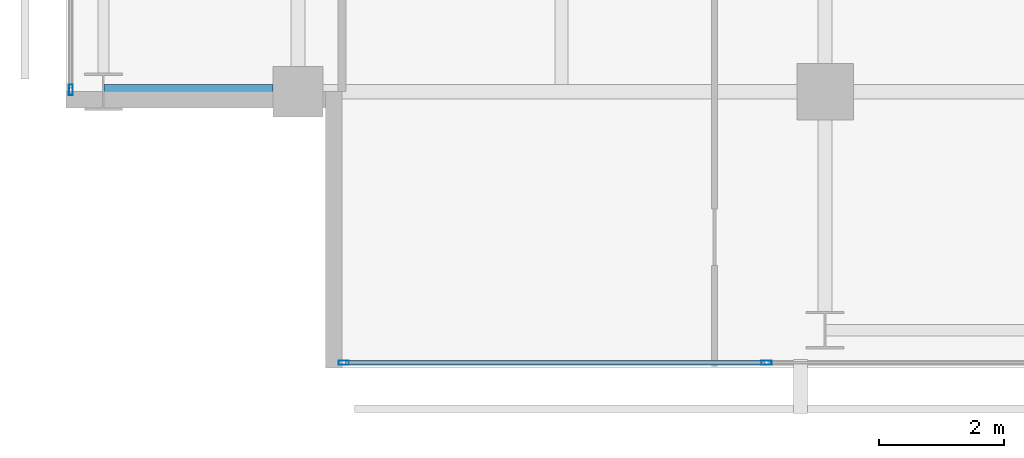
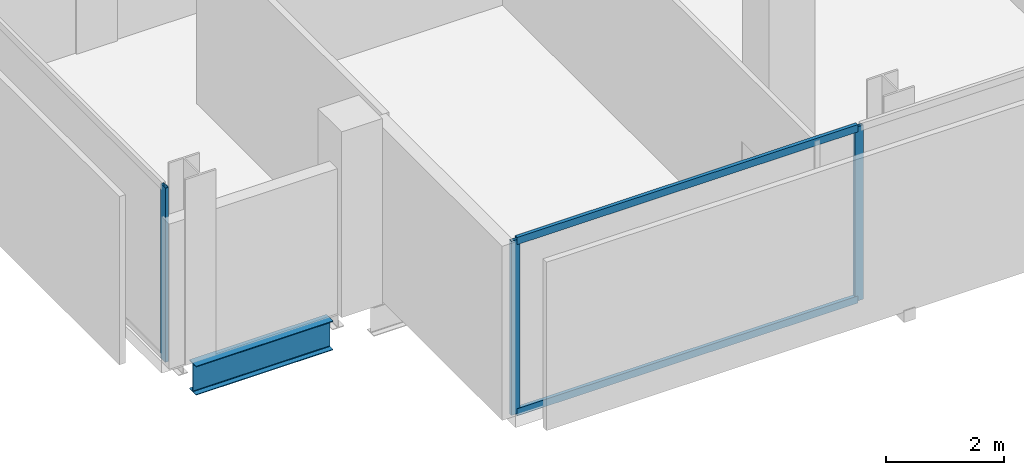
# One storey, part 2 of 32: 5 members, 1 beam, 2 elements without a shape of their own.
"""IFC4 building model written with IfcOpenShell, lengths in metres."""

from ifc_helpers import new_model, si_unit, direction, frame, origin, origin_2d, place, context, subcontext, project, spatial, hollow_rectangle, i_section, extrude, material, layer, layer_set, material_profile, profile_set, type_object, element, aggregate, save


model = new_model("IFC4")

# Units and contexts
model_context = context("Model", 3, precision=1e-05, world=origin(), true_north=direction((0.0, 1.0)))
body_context = subcontext(model_context, "Body", "Model", "MODEL_VIEW")
ifc_project = project(units=[si_unit("LENGTHUNIT", "METRE"), si_unit("AREAUNIT", "SQUARE_METRE"), si_unit("VOLUMEUNIT", "CUBIC_METRE"), si_unit("PLANEANGLEUNIT", "RADIAN"), si_unit("MASSUNIT", "GRAM", prefix="KILO")], contexts=[model_context])

# Site, building, storey
site_placement = place(None, origin())
site = spatial("IfcSite", under=ifc_project, at=site_placement, CompositionType="ELEMENT")
building_placement = place(site_placement, origin())
building = spatial("IfcBuilding", under=site, at=building_placement, Name="Maruvema Waterfront Hotel and Observation Tower", CompositionType="ELEMENT")
storey_placement = place(building_placement, frame((0.0, 0.0, 165.89990234375)))
storey = spatial("IfcBuildingStorey", under=building, at=storey_placement, Name="L40", CompositionType="ELEMENT", Elevation=165.89990234375)

# Curtain wall, members
ifc_material_1 = material(Name="Anodised bronze aluminium and solar-control low-E IGU", Category="aluminium")
ifc_layer = layer(ifc_material_1, 0.159912109375, Name="Zone 2 Amber Inner Thermal Curtain Wall System CW-03")
ifc_layer_set = layer_set([ifc_layer], Name="Anodised bronze aluminium and solar-control low-E IGU")
curtain_wall_type = type_object("IfcCurtainWallType", Name="Zone 2 Amber Inner Thermal Curtain Wall System CW-03", PredefinedType="USERDEFINED", material=ifc_layer_set)
curtain_wall_1_placement = place(storey_placement, origin())
curtain_wall_1 = element("IfcCurtainWall", 1, at=curtain_wall_1_placement, inside=storey, type_object=curtain_wall_type, Name="L40 Curtain Wall CW-L40-S", ObjectType="UNITISED CURTAIN WALL", PredefinedType="USERDEFINED")
ifc_material_2 = material(Name="Anodised architectural bronze aluminium", Category="aluminium")
ifc_material_profile_1 = material_profile(ifc_material_2, hollow_rectangle(XDim=0.070068359375, YDim=0.14990234375, WallThickness=0.00390625, at=origin_2d()), Name="ALU-T70x150")
ifc_profile_set_1 = profile_set([ifc_material_profile_1], Name="Anodised architectural bronze aluminium")
member_type_1 = type_object("IfcMemberType", Name="Curtain Wall Horizontal Transom ALU-T70x150", PredefinedType="USERDEFINED", material=ifc_profile_set_1)
member_1_placement = place(storey_placement, frame((17.56005859375, 4.679931640625, 0.030029296875), z_axis=(1.0, 0.0, 0.0), x_axis=(0.0, 1.0, 0.0)))
member_1 = element("IfcMember", 2, at=member_1_placement, type_object=member_type_1, Name="CW-03 transom 1.1", ObjectType="TRANSOM", PredefinedType="USERDEFINED", context=body_context, shape_type="SweptSolid", body=[
    extrude(hollow_rectangle(XDim=0.070068359375, YDim=0.14990234375, WallThickness=0.00390625, at=origin_2d()), origin(), (0.0, 0.0, 1.0), 6.676513671875),
])
member_2_placement = place(storey_placement, frame((17.56005859375, 4.679931640625, 3.580078125), z_axis=(1.0, 0.0, 0.0), x_axis=(0.0, 1.0, 0.0)))
member_2 = element("IfcMember", 3, at=member_2_placement, type_object=member_type_1, Name="CW-03 transom 1.2", ObjectType="TRANSOM", PredefinedType="USERDEFINED", context=body_context, shape_type="SweptSolid", body=[
    extrude(hollow_rectangle(XDim=0.070068359375, YDim=0.14990234375, WallThickness=0.00390625, at=origin_2d()), origin(), (0.0, 0.0, 1.0), 6.676513671875),
])
ifc_material_3 = material(Name="Anodised architectural bronze aluminium", Category="aluminium")
ifc_material_profile_2 = material_profile(ifc_material_3, hollow_rectangle(XDim=0.06494140625, YDim=0.1650390625, WallThickness=0.00390625, at=origin_2d()), Name="ALU-M65x165")
ifc_profile_set_2 = profile_set([ifc_material_profile_2], Name="Anodised architectural bronze aluminium")
member_type_2 = type_object("IfcMemberType", Name="Curtain Wall Primary Mullion ALU-M65x165", PredefinedType="MULLION", material=ifc_profile_set_2)
member_3_placement = place(storey_placement, frame((17.530029296875, 4.679931640625, 0.0), z_axis=(0.0, 0.0, 1.0), x_axis=(0.0, 1.0, 0.0)))
member_3 = element("IfcMember", 4, at=member_3_placement, type_object=member_type_2, Name="CW-03 mullion 1", PredefinedType="MULLION", context=body_context, shape_type="SweptSolid", body=[
    extrude(hollow_rectangle(XDim=0.06494140625, YDim=0.1650390625, WallThickness=0.00390625, at=origin_2d()), origin(), (0.0, 0.0, 1.0), 3.610107421875),
])
member_4_placement = place(storey_placement, frame((24.2666015625, 4.679931640625, 0.0), z_axis=(0.0, 0.0, 1.0), x_axis=(0.0, 1.0, 0.0)))
member_4 = element("IfcMember", 5, at=member_4_placement, type_object=member_type_2, Name="CW-03 mullion 2", PredefinedType="MULLION", context=body_context, shape_type="SweptSolid", body=[
    extrude(hollow_rectangle(XDim=0.06494140625, YDim=0.1650390625, WallThickness=0.00390625, at=origin_2d()), origin(), (0.0, 0.0, 1.0), 3.610107421875),
])
aggregate(curtain_wall_1, [member_3, member_4, member_1, member_2])

# Curtain wall, member
curtain_wall_2_placement = place(storey_placement, origin())
curtain_wall_2 = element("IfcCurtainWall", 6, at=curtain_wall_2_placement, inside=storey, type_object=curtain_wall_type, Name="L40 Curtain Wall CW-L40-W", ObjectType="UNITISED CURTAIN WALL", PredefinedType="USERDEFINED")
member_5_placement = place(storey_placement, frame((13.179931640625, 9.030029296875, 0.0), z_axis=(0.0, 0.0, 1.0), x_axis=(1.0, 0.0, 0.0)))
member_5 = element("IfcMember", 7, at=member_5_placement, type_object=member_type_2, Name="CW-03 mullion 7", PredefinedType="MULLION", context=body_context, shape_type="SweptSolid", body=[
    extrude(hollow_rectangle(XDim=0.06494140625, YDim=0.1650390625, WallThickness=0.00390625, at=origin_2d()), origin(), (0.0, 0.0, 1.0), 3.610107421875),
])
aggregate(curtain_wall_2, [member_5])

# Beam
ifc_material_4 = material(Name="Steel ASTM A572 Grade 50", Category="steel")
ifc_material_profile_3 = material_profile(ifc_material_4, i_section(OverallWidth=0.22802734375, OverallDepth=0.60302734375, WebThickness=0.010498046875, FlangeThickness=0.014892578125, FilletRadius=0.01806640625, at=origin_2d()), Name="W610x101.0")
ifc_profile_set_3 = profile_set([ifc_material_profile_3], Name="Steel ASTM A572 Grade 50")
beam_type = type_object("IfcBeamType", Name="Primary Floor Girder W610x101.0", PredefinedType="BEAM", material=ifc_profile_set_3)
beam_placement = place(storey_placement, frame((13.71240234375, 9.0, -0.54150390625), z_axis=(1.0, 0.0, 0.0), x_axis=(0.0, 1.0, 0.0)))
element("IfcBeam", 8, at=beam_placement, inside=storey, type_object=beam_type, Name="L40 Floor Girder EW-04", PredefinedType="BEAM", context=body_context, shape_type="SweptSolid", body=[
    extrude(i_section(OverallWidth=0.22802734375, OverallDepth=0.60302734375, WebThickness=0.010498046875, FlangeThickness=0.014892578125, FilletRadius=0.01806640625, at=origin_2d()), origin(), (0.0, 0.0, 1.0), 2.6875),
])

save(model, "model.ifc")
